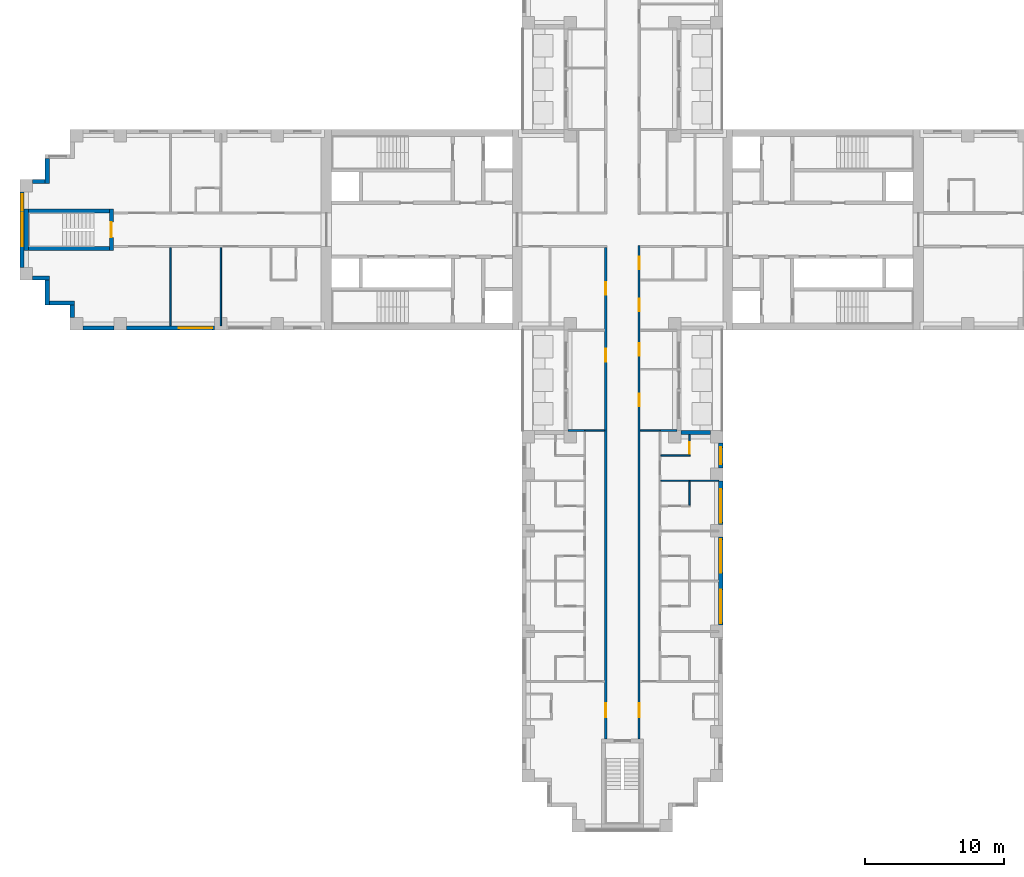
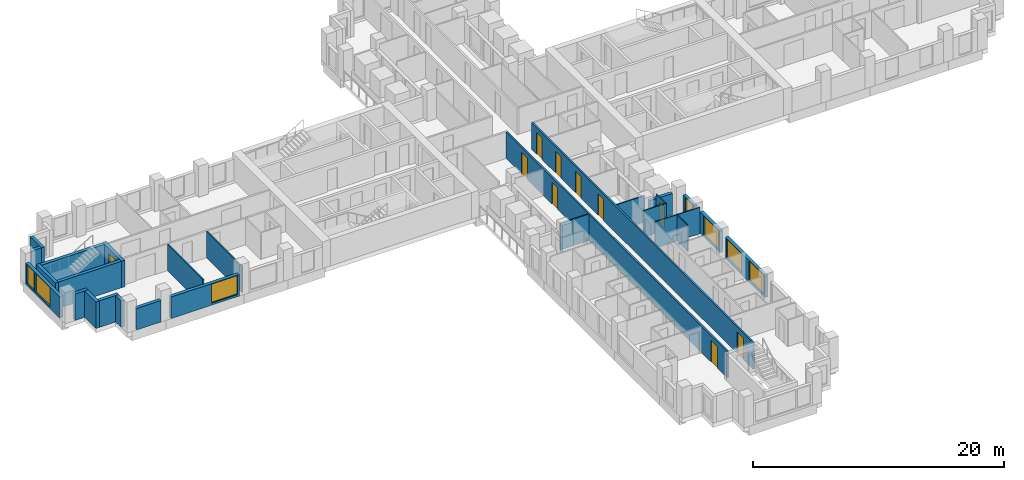
# One storey, part 5 of 14: 29 walls, 10 doors, 7 windows, 17 openings.
"""IFC4 building model written with IfcOpenShell, lengths in metres."""

from ifc_helpers import new_model, si_unit, direction, frame, frame_2d, origin, place, context, subcontext, project, spatial, rectangle, extrude, material, layer, layer_set, type_object, element, fill, save


model = new_model("IFC4")

# Units and contexts
model_context = context("Model", 3, precision=1e-05, world=origin(), true_north=direction((0.0, 1.0)))
body_context = subcontext(model_context, "Body", "Model", "MODEL_VIEW")
ifc_project = project(units=[si_unit("LENGTHUNIT", "METRE"), si_unit("AREAUNIT", "SQUARE_METRE"), si_unit("VOLUMEUNIT", "CUBIC_METRE"), si_unit("PLANEANGLEUNIT", "RADIAN"), si_unit("MASSUNIT", "GRAM", prefix="KILO")], contexts=[model_context])

# Site, building, storey
site_placement = place(None, origin())
site = spatial("IfcSite", under=ifc_project, at=site_placement, CompositionType="ELEMENT")
building_placement = place(site_placement, origin())
building = spatial("IfcBuilding", under=site, at=building_placement, Name="Fustian Cross Tower", CompositionType="ELEMENT")
storey_placement = place(building_placement, frame((0.0, 0.0, 93.89990234375)))
storey = spatial("IfcBuildingStorey", under=building, at=storey_placement, Name="L29", CompositionType="ELEMENT", Elevation=93.89990234375)

# Wall, openings, doors
ifc_material_1 = material(Name="Plasterboard on steel stud", Category="steel")
ifc_layer_1 = layer(ifc_material_1, 0.14990234375)
ifc_layer_set_1 = layer_set([ifc_layer_1], Name="Plasterboard on steel stud")
wall_type_1 = type_object("IfcWallType", Name="COMPARTMENT WALL 150 EI 60", PredefinedType="PARTITIONING", material=ifc_layer_set_1)
wall_1_placement = place(storey_placement, frame((-1.199951171875, -36.5, 0.0), z_axis=(0.0, 0.0, 1.0), x_axis=(0.0, 1.0, 0.0)))
wall_1 = element("IfcWall", 1, at=wall_1_placement, inside=storey, type_object=wall_type_1, Name="Partition 41", PredefinedType="PARTITIONING", context=body_context, shape_type="SweptSolid", body=[
    extrude(rectangle(XDim=35.22509765625, YDim=0.14990234375, at=frame_2d((17.612548828125, 0.0))), origin(), (0.0, 0.0, 1.0), 2.5751953125),
])
opening_1_placement = place(wall_1_placement, frame((31.85009765625, 0.0, 0.0)))
opening_1 = element("IfcOpeningElement", 2, at=opening_1_placement, cuts=wall_1, Name="Opening D14009", PredefinedType="OPENING", context=body_context, shape_type="SweptSolid", body=[
    extrude(rectangle(XDim=0.89990234375, YDim=2.10009765625, at=frame_2d((0.449951171875, 1.050048828125))), frame((0.0, 0.0849609375, 0.0), z_axis=(0.0, -1.0, 0.0), x_axis=(1.0, 0.0, 0.0)), (0.0, 0.0, 1.0), 0.169921875),
])
opening_2_placement = place(wall_1_placement, frame((27.050048828125, 0.0, 0.0)))
opening_2 = element("IfcOpeningElement", 3, at=opening_2_placement, cuts=wall_1, Name="Opening D14050", PredefinedType="OPENING", context=body_context, shape_type="SweptSolid", body=[
    extrude(rectangle(XDim=0.89990234375, YDim=2.10009765625, at=frame_2d((0.449951171875, 1.050048828125))), frame((0.0, 0.0849609375, 0.0), z_axis=(0.0, -1.0, 0.0), x_axis=(1.0, 0.0, 0.0)), (0.0, 0.0, 1.0), 0.169921875),
])
opening_3_placement = place(wall_1_placement, frame((1.550048828125, 0.0, 0.0)))
opening_3 = element("IfcOpeningElement", 4, at=opening_3_placement, cuts=wall_1, Name="Opening D14052", PredefinedType="OPENING", context=body_context, shape_type="SweptSolid", body=[
    extrude(rectangle(XDim=1.0, YDim=2.10009765625, at=frame_2d((0.5, 1.050048828125))), frame((0.0, 0.0849609375, 0.0), z_axis=(0.0, -1.0, 0.0), x_axis=(1.0, 0.0, 0.0)), (0.0, 0.0, 1.0), 0.169921875),
])
ifc_material_2 = material(Name="Timber fire door set", Category="wood")
door_type_1 = type_object("IfcDoorType", Name="FIRE SWING DOOR 1000 FD30S", OperationType="SINGLE_SWING_LEFT", PredefinedType="DOOR", material=ifc_material_2)
door_1_placement = place(opening_3_placement, origin())
door_1 = element("IfcDoor", 5, at=door_1_placement, inside=storey, type_object=door_type_1, Name="Door D14052", OperationType="SINGLE_SWING_RIGHT", OverallHeight=2.10009765625, OverallWidth=1.0, PredefinedType="DOOR", context=body_context, shape_type="SweptSolid", body=[
    extrude(rectangle(XDim=1.0, YDim=2.10009765625, at=frame_2d((0.5, 1.050048828125))), frame((0.0, 0.02490234375, 0.0), z_axis=(0.0, -1.0, 0.0), x_axis=(1.0, 0.0, 0.0)), (0.0, 0.0, 1.0), 0.050048828125),
])
fill(opening_3, door_1)
ifc_material_3 = material(Name="Timber fire door set", Category="wood")
door_type_2 = type_object("IfcDoorType", Name="FIRE SWING DOOR 900 FD30S", OperationType="SINGLE_SWING_LEFT", PredefinedType="DOOR", material=ifc_material_3)
door_2_placement = place(opening_1_placement, origin())
door_2 = element("IfcDoor", 6, at=door_2_placement, inside=storey, type_object=door_type_2, Name="Door D14009", OperationType="SINGLE_SWING_LEFT", OverallHeight=2.10009765625, OverallWidth=0.89990234375, PredefinedType="DOOR", context=body_context, shape_type="SweptSolid", body=[
    extrude(rectangle(XDim=0.89990234375, YDim=2.10009765625, at=frame_2d((0.449951171875, 1.050048828125))), frame((0.0, 0.02490234375, 0.0), z_axis=(0.0, -1.0, 0.0), x_axis=(1.0, 0.0, 0.0)), (0.0, 0.0, 1.0), 0.050048828125),
])
fill(opening_1, door_2)
door_3_placement = place(opening_2_placement, origin())
door_3 = element("IfcDoor", 7, at=door_3_placement, inside=storey, type_object=door_type_2, Name="Door D14050", OperationType="SINGLE_SWING_RIGHT", OverallHeight=2.10009765625, OverallWidth=0.89990234375, PredefinedType="DOOR", context=body_context, shape_type="SweptSolid", body=[
    extrude(rectangle(XDim=0.89990234375, YDim=2.10009765625, at=frame_2d((0.449951171875, 1.050048828125))), frame((0.0, 0.02490234375, 0.0), z_axis=(0.0, -1.0, 0.0), x_axis=(1.0, 0.0, 0.0)), (0.0, 0.0, 1.0), 0.050048828125),
])
fill(opening_2, door_3)

wall_2_placement = place(storey_placement, frame((1.199951171875, -36.5, 0.0), z_axis=(0.0, 0.0, 1.0), x_axis=(0.0, 1.0, 0.0)))
wall_2 = element("IfcWall", 8, at=wall_2_placement, inside=storey, type_object=wall_type_1, Name="Partition 43", PredefinedType="PARTITIONING", context=body_context, shape_type="SweptSolid", body=[
    extrude(rectangle(XDim=35.375, YDim=0.14990234375, at=frame_2d((17.6875, 0.0))), origin(), (0.0, 0.0, 1.0), 2.5751953125),
])
opening_4_placement = place(wall_2_placement, frame((33.64990234375, 0.0, 0.0)))
opening_4 = element("IfcOpeningElement", 9, at=opening_4_placement, cuts=wall_2, Name="Opening D14006", PredefinedType="OPENING", context=body_context, shape_type="SweptSolid", body=[
    extrude(rectangle(XDim=0.89990234375, YDim=2.10009765625, at=frame_2d((0.449951171875, 1.050048828125))), frame((0.0, 0.0849609375, 0.0), z_axis=(0.0, -1.0, 0.0), x_axis=(1.0, 0.0, 0.0)), (0.0, 0.0, 1.0), 0.169921875),
])
opening_5_placement = place(wall_2_placement, frame((30.64990234375, 0.0, 0.0)))
opening_5 = element("IfcOpeningElement", 10, at=opening_5_placement, cuts=wall_2, Name="Opening D14008", PredefinedType="OPENING", context=body_context, shape_type="SweptSolid", body=[
    extrude(rectangle(XDim=0.89990234375, YDim=2.10009765625, at=frame_2d((0.449951171875, 1.050048828125))), frame((0.0, 0.0849609375, 0.0), z_axis=(0.0, -1.0, 0.0), x_axis=(1.0, 0.0, 0.0)), (0.0, 0.0, 1.0), 0.169921875),
])
opening_6_placement = place(wall_2_placement, frame((27.449951171875, 0.0, 0.0)))
opening_6 = element("IfcOpeningElement", 11, at=opening_6_placement, cuts=wall_2, Name="Opening D14035", PredefinedType="OPENING", context=body_context, shape_type="SweptSolid", body=[
    extrude(rectangle(XDim=0.89990234375, YDim=2.10009765625, at=frame_2d((0.449951171875, 1.050048828125))), frame((0.0, 0.0849609375, 0.0), z_axis=(0.0, -1.0, 0.0), x_axis=(1.0, 0.0, 0.0)), (0.0, 0.0, 1.0), 0.169921875),
])
opening_7_placement = place(wall_2_placement, frame((23.85009765625, 0.0, 0.0)))
opening_7 = element("IfcOpeningElement", 12, at=opening_7_placement, cuts=wall_2, Name="Opening D14036", PredefinedType="OPENING", context=body_context, shape_type="SweptSolid", body=[
    extrude(rectangle(XDim=0.89990234375, YDim=2.10009765625, at=frame_2d((0.449951171875, 1.050048828125))), frame((0.0, 0.0849609375, 0.0), z_axis=(0.0, -1.0, 0.0), x_axis=(1.0, 0.0, 0.0)), (0.0, 0.0, 1.0), 0.169921875),
])
opening_8_placement = place(wall_2_placement, frame((1.550048828125, 0.0, 0.0)))
opening_8 = element("IfcOpeningElement", 13, at=opening_8_placement, cuts=wall_2, Name="Opening D14038", PredefinedType="OPENING", context=body_context, shape_type="SweptSolid", body=[
    extrude(rectangle(XDim=1.0, YDim=2.10009765625, at=frame_2d((0.5, 1.050048828125))), frame((0.0, 0.0849609375, 0.0), z_axis=(0.0, -1.0, 0.0), x_axis=(1.0, 0.0, 0.0)), (0.0, 0.0, 1.0), 0.169921875),
])
door_4_placement = place(opening_8_placement, frame((1.0, 0.0, 0.0), z_axis=(0.0, 0.0, 1.0), x_axis=(-1.0, 0.0, 0.0)))
door_4 = element("IfcDoor", 14, at=door_4_placement, inside=storey, type_object=door_type_1, Name="Door D14038", OperationType="SINGLE_SWING_LEFT", OverallHeight=2.10009765625, OverallWidth=1.0, PredefinedType="DOOR", context=body_context, shape_type="SweptSolid", body=[
    extrude(rectangle(XDim=1.0, YDim=2.10009765625, at=frame_2d((0.5, 1.050048828125))), frame((0.0, 0.02490234375, 0.0), z_axis=(0.0, -1.0, 0.0), x_axis=(1.0, 0.0, 0.0)), (0.0, 0.0, 1.0), 0.050048828125),
])
fill(opening_8, door_4)
door_5_placement = place(opening_4_placement, frame((0.89990234375, 0.0, 0.0), z_axis=(0.0, 0.0, 1.0), x_axis=(-1.0, 0.0, 0.0)))
door_5 = element("IfcDoor", 15, at=door_5_placement, inside=storey, type_object=door_type_2, Name="Door D14006", OperationType="SINGLE_SWING_RIGHT", OverallHeight=2.10009765625, OverallWidth=0.89990234375, PredefinedType="DOOR", context=body_context, shape_type="SweptSolid", body=[
    extrude(rectangle(XDim=0.89990234375, YDim=2.10009765625, at=frame_2d((0.449951171875, 1.050048828125))), frame((0.0, 0.02490234375, 0.0), z_axis=(0.0, -1.0, 0.0), x_axis=(1.0, 0.0, 0.0)), (0.0, 0.0, 1.0), 0.050048828125),
])
fill(opening_4, door_5)
door_6_placement = place(opening_5_placement, frame((0.89990234375, 0.0, 0.0), z_axis=(0.0, 0.0, 1.0), x_axis=(-1.0, 0.0, 0.0)))
door_6 = element("IfcDoor", 16, at=door_6_placement, inside=storey, type_object=door_type_2, Name="Door D14008", OperationType="SINGLE_SWING_RIGHT", OverallHeight=2.10009765625, OverallWidth=0.89990234375, PredefinedType="DOOR", context=body_context, shape_type="SweptSolid", body=[
    extrude(rectangle(XDim=0.89990234375, YDim=2.10009765625, at=frame_2d((0.449951171875, 1.050048828125))), frame((0.0, 0.02490234375, 0.0), z_axis=(0.0, -1.0, 0.0), x_axis=(1.0, 0.0, 0.0)), (0.0, 0.0, 1.0), 0.050048828125),
])
fill(opening_5, door_6)
door_7_placement = place(opening_6_placement, frame((0.89990234375, 0.0, 0.0), z_axis=(0.0, 0.0, 1.0), x_axis=(-1.0, 0.0, 0.0)))
door_7 = element("IfcDoor", 17, at=door_7_placement, inside=storey, type_object=door_type_2, Name="Door D14035", OperationType="SINGLE_SWING_RIGHT", OverallHeight=2.10009765625, OverallWidth=0.89990234375, PredefinedType="DOOR", context=body_context, shape_type="SweptSolid", body=[
    extrude(rectangle(XDim=0.89990234375, YDim=2.10009765625, at=frame_2d((0.449951171875, 1.050048828125))), frame((0.0, 0.02490234375, 0.0), z_axis=(0.0, -1.0, 0.0), x_axis=(1.0, 0.0, 0.0)), (0.0, 0.0, 1.0), 0.050048828125),
])
fill(opening_6, door_7)
door_8_placement = place(opening_7_placement, frame((0.89990234375, 0.0, 0.0), z_axis=(0.0, 0.0, 1.0), x_axis=(-1.0, 0.0, 0.0)))
door_8 = element("IfcDoor", 18, at=door_8_placement, inside=storey, type_object=door_type_2, Name="Door D14036", OperationType="SINGLE_SWING_RIGHT", OverallHeight=2.10009765625, OverallWidth=0.89990234375, PredefinedType="DOOR", context=body_context, shape_type="SweptSolid", body=[
    extrude(rectangle(XDim=0.89990234375, YDim=2.10009765625, at=frame_2d((0.449951171875, 1.050048828125))), frame((0.0, 0.02490234375, 0.0), z_axis=(0.0, -1.0, 0.0), x_axis=(1.0, 0.0, 0.0)), (0.0, 0.0, 1.0), 0.050048828125),
])
fill(opening_7, door_8)

# Walls
ifc_material_4 = material(Name="Plasterboard on steel stud", Category="steel")
ifc_layer_2 = layer(ifc_material_4, 0.10009765625)
ifc_layer_set_2 = layer_set([ifc_layer_2], Name="Plasterboard on steel stud")
wall_type_2 = type_object("IfcWallType", Name="PARTITION 100 STUD", PredefinedType="PARTITIONING", material=ifc_layer_set_2)
for number, where, z_axis, x_axis, name in (
    (19, (-32.39990234375, -6.89990234375, 0.0), (0.0, 0.0, 1.0), (0.0, 1.0, 0.0), "Partition 3"),
    (20, (-28.800048828125, -6.89990234375, 0.0), (0.0, 0.0, 1.0), (0.0, 1.0, 0.0), "Partition 7"),
):
    element("IfcWall", number, at=place(storey_placement, frame(where, z_axis=z_axis, x_axis=x_axis)), inside=storey, type_object=wall_type_2, Name=name, PredefinedType="PARTITIONING", context=body_context, shape_type="SweptSolid", body=[
        extrude(rectangle(XDim=5.625, YDim=0.10009765625, at=frame_2d((2.8125, 0.0))), origin(), (0.0, 0.0, 1.0), 2.5751953125),
    ])
for number, where, z_axis, x_axis, name in (
    (21, (-2.699951171875, -14.39990234375, 0.0), (0.0, 0.0, 1.0), (1.0, 0.0, 0.0), "Partition 40"),
    (22, (1.27490234375, -14.39990234375, 0.0), (0.0, 0.0, 1.0), (1.0, 0.0, 0.0), "Partition 45"),
):
    element("IfcWall", number, at=place(storey_placement, frame(where, z_axis=z_axis, x_axis=x_axis)), inside=storey, type_object=wall_type_2, Name=name, PredefinedType="PARTITIONING", context=body_context, shape_type="SweptSolid", body=[
        extrude(rectangle(XDim=1.425048828125, YDim=0.10009765625, at=frame_2d((0.71240234375, 0.0))), origin(), (0.0, 0.0, 1.0), 2.5751953125),
    ])
wall_3_placement = place(storey_placement, frame((2.75, -18.0, 0.0), z_axis=(0.0, 0.0, 1.0), x_axis=(1.0, 0.0, 0.0)))
element("IfcWall", 23, at=wall_3_placement, inside=storey, type_object=wall_type_2, Name="Partition 64", PredefinedType="PARTITIONING", context=body_context, shape_type="SweptSolid", body=[
    extrude(rectangle(XDim=4.14990234375, YDim=0.10009765625, at=frame_2d((2.074951171875, 0.0))), origin(), (0.0, 0.0, 1.0), 2.5751953125),
])
wall_4_placement = place(storey_placement, frame((2.75, -16.199951171875, 0.0), z_axis=(0.0, 0.0, 1.0), x_axis=(1.0, 0.0, 0.0)))
element("IfcWall", 24, at=wall_4_placement, inside=storey, type_object=wall_type_2, Name="Partition 65", PredefinedType="PARTITIONING", context=body_context, shape_type="SweptSolid", body=[
    extrude(rectangle(XDim=2.10009765625, YDim=0.10009765625, at=frame_2d((1.050048828125, 0.0))), origin(), (0.0, 0.0, 1.0), 2.5751953125),
])
wall_5_placement = place(storey_placement, frame((4.800048828125, -19.75, 0.0), z_axis=(0.0, 0.0, 1.0), x_axis=(0.0, 1.0, 0.0)))
element("IfcWall", 25, at=wall_5_placement, inside=storey, type_object=wall_type_2, Name="Partition 71", PredefinedType="PARTITIONING", context=body_context, shape_type="SweptSolid", body=[
    extrude(rectangle(XDim=1.699951171875, YDim=0.10009765625, at=frame_2d((0.85009765625, 0.0))), origin(), (0.0, 0.0, 1.0), 2.5751953125),
])

# Wall, opening, door
wall_6_placement = place(storey_placement, frame((4.800048828125, -16.14990234375, 0.0), z_axis=(0.0, 0.0, 1.0), x_axis=(0.0, 1.0, 0.0)))
wall_6 = element("IfcWall", 26, at=wall_6_placement, inside=storey, type_object=wall_type_2, Name="Partition 72", PredefinedType="PARTITIONING", context=body_context, shape_type="SweptSolid", body=[
    extrude(rectangle(XDim=1.449951171875, YDim=0.10009765625, at=frame_2d((0.72509765625, 0.0))), origin(), (0.0, 0.0, 1.0), 2.5751953125),
])
opening_9_placement = place(wall_6_placement, frame((0.10009765625, 0.0, 0.0)))
opening_9 = element("IfcOpeningElement", 27, at=opening_9_placement, cuts=wall_6, Name="Opening D14045", PredefinedType="OPENING", context=body_context, shape_type="SweptSolid", body=[
    extrude(rectangle(XDim=0.800048828125, YDim=2.10009765625, at=frame_2d((0.39990234375, 1.050048828125))), frame((0.0, 0.06005859375, 0.0), z_axis=(0.0, -1.0, 0.0), x_axis=(1.0, 0.0, 0.0)), (0.0, 0.0, 1.0), 0.1201171875),
])
ifc_material_5 = material(Name="Painted timber", Category="wood")
door_type_3 = type_object("IfcDoorType", Name="SWING DOOR 800", OperationType="SINGLE_SWING_LEFT", PredefinedType="DOOR", material=ifc_material_5)
door_9_placement = place(opening_9_placement, frame((0.800048828125, 0.0, 0.0), z_axis=(0.0, 0.0, 1.0), x_axis=(-1.0, 0.0, 0.0)))
door_9 = element("IfcDoor", 28, at=door_9_placement, inside=storey, type_object=door_type_3, Name="Door D14045", OperationType="SINGLE_SWING_LEFT", OverallHeight=2.10009765625, OverallWidth=0.800048828125, PredefinedType="DOOR", context=body_context, shape_type="SweptSolid", body=[
    extrude(rectangle(XDim=0.800048828125, YDim=2.10009765625, at=frame_2d((0.39990234375, 1.050048828125))), frame((0.0, 0.02490234375, 0.0), z_axis=(0.0, -1.0, 0.0), x_axis=(1.0, 0.0, 0.0)), (0.0, 0.0, 1.0), 0.050048828125),
])
fill(opening_9, door_9)

ifc_material_6 = material(Name="Concrete C50/60", Category="concrete")
ifc_layer_3 = layer(ifc_material_6, 0.300048828125)
ifc_layer_set_3 = layer_set([ifc_layer_3], Name="Concrete C50/60")
wall_type_3 = type_object("IfcWallType", Name="STAIR ENCLOSURE WALL 300 C50/60", PredefinedType="SHEAR", material=ifc_layer_set_3)
wall_7_placement = place(storey_placement, frame((-36.64990234375, -1.5, 0.0), z_axis=(0.0, 0.0, 1.0), x_axis=(0.0, 1.0, 0.0)))
wall_7 = element("IfcWall", 29, at=wall_7_placement, inside=storey, type_object=wall_type_3, Name="Stair enclosure wall", PredefinedType="SHEAR", context=body_context, shape_type="SweptSolid", body=[
    extrude(rectangle(XDim=3.0, YDim=0.300048828125, at=frame_2d((1.5, 0.0))), origin(), (0.0, 0.0, 1.0), 2.5751953125),
])
opening_10_placement = place(wall_7_placement, frame((0.949951171875, 0.0, 0.0)))
opening_10 = element("IfcOpeningElement", 30, at=opening_10_placement, cuts=wall_7, Name="Opening CD-09-31", PredefinedType="OPENING", context=body_context, shape_type="SweptSolid", body=[
    extrude(rectangle(XDim=1.10009765625, YDim=2.10009765625, at=frame_2d((0.550048828125, 1.050048828125))), frame((0.0, 0.159912109375, 0.0), z_axis=(0.0, -1.0, 0.0), x_axis=(1.0, 0.0, 0.0)), (0.0, 0.0, 1.0), 0.320068359375),
])
ifc_material_7 = material(Name="Steel", Category="steel")
door_type_4 = type_object("IfcDoorType", Name="FIRE DOOR FD60S 1100X2100", OperationType="SINGLE_SWING_LEFT", PredefinedType="DOOR", material=ifc_material_7)
door_10_placement = place(opening_10_placement, origin())
door_10 = element("IfcDoor", 31, at=door_10_placement, inside=storey, type_object=door_type_4, Name="Core door CD-09-31", OperationType="SINGLE_SWING_LEFT", OverallHeight=2.10009765625, OverallWidth=1.10009765625, PredefinedType="DOOR", context=body_context, shape_type="SweptSolid", body=[
    extrude(rectangle(XDim=1.10009765625, YDim=2.10009765625, at=frame_2d((0.550048828125, 1.050048828125))), frame((0.0, 0.02490234375, 0.0), z_axis=(0.0, -1.0, 0.0), x_axis=(1.0, 0.0, 0.0)), (0.0, 0.0, 1.0), 0.050048828125),
])
fill(opening_10, door_10)

# Walls
wall_8_placement = place(storey_placement, frame((-42.75, -1.5, 0.0), z_axis=(0.0, 0.0, 1.0), x_axis=(0.0, 1.0, 0.0)))
element("IfcWall", 32, at=wall_8_placement, inside=storey, type_object=wall_type_3, Name="Stair enclosure wall", PredefinedType="SHEAR", context=body_context, shape_type="SweptSolid", body=[
    extrude(rectangle(XDim=3.0, YDim=0.300048828125, at=frame_2d((1.5, 0.0))), origin(), (0.0, 0.0, 1.0), 2.5751953125),
])
for number, where, z_axis, x_axis, name in (
    (33, (-36.800048828125, -1.35009765625, 0.0), (0.0, 0.0, 1.0), (-1.0, 0.0, 0.0), "Stair enclosure wall"),
    (34, (-36.800048828125, 1.35009765625, 0.0), (0.0, 0.0, 1.0), (-1.0, 0.0, 0.0), "Stair enclosure wall"),
):
    element("IfcWall", number, at=place(storey_placement, frame(where, z_axis=z_axis, x_axis=x_axis)), inside=storey, type_object=wall_type_3, Name=name, PredefinedType="SHEAR", context=body_context, shape_type="SweptSolid", body=[
        extrude(rectangle(XDim=5.800048828125, YDim=0.300048828125, at=frame_2d((2.89990234375, 0.0))), origin(), (0.0, 0.0, 1.0), 2.5751953125),
    ])
ifc_material_8 = material(Name="Plasterboard on steel stud", Category="steel")
ifc_layer_4 = layer(ifc_material_8, 0.125)
ifc_layer_set_4 = layer_set([ifc_layer_4], Name="Plasterboard on steel stud")
wall_type_4 = type_object("IfcWallType", Name="WET WALL 125 STUD", PredefinedType="PARTITIONING", material=ifc_layer_set_4)
for number, where, z_axis, x_axis, name in (
    (35, (-3.89990234375, -14.39990234375, 0.0), (0.0, 0.0, 1.0), (1.0, 0.0, 0.0), "Partition 33"),
    (36, (2.699951171875, -14.39990234375, 0.0), (0.0, 0.0, 1.0), (1.0, 0.0, 0.0), "Partition 66"),
):
    element("IfcWall", number, at=place(storey_placement, frame(where, z_axis=z_axis, x_axis=x_axis)), inside=storey, type_object=wall_type_4, Name=name, PredefinedType="PARTITIONING", context=body_context, shape_type="SweptSolid", body=[
        extrude(rectangle(XDim=1.199951171875, YDim=0.125, at=frame_2d((0.60009765625, 0.0))), origin(), (0.0, 0.0, 1.0), 2.5751953125),
    ])
ifc_material_9 = material(Name="Dark aluminium cladding on insulated backing wall", Category="aluminium")
ifc_layer_5 = layer(ifc_material_9, 0.300048828125)
ifc_layer_set_5 = layer_set([ifc_layer_5], Name="Dark aluminium cladding on insulated backing wall")
wall_type_5 = type_object("IfcWallType", Name="XW1 EXTERNAL WALL 300", PredefinedType="SOLIDWALL", material=ifc_layer_set_5)
wall_9_placement = place(storey_placement, frame((-41.25, 5.10009765625, 0.0), z_axis=(0.0, 0.0, 1.0), x_axis=(0.0, -1.0, 0.0)))
element("IfcWall", 37, at=wall_9_placement, inside=storey, type_object=wall_type_5, Name="External wall", PredefinedType="SOLIDWALL", context=body_context, shape_type="SweptSolid", body=[
    extrude(rectangle(XDim=1.800048828125, YDim=0.300048828125, at=frame_2d((0.89990234375, 0.0))), origin(), (0.0, 0.0, 1.0), 2.5751953125),
])
wall_10_placement = place(storey_placement, frame((-41.39990234375, 3.449951171875, 0.0), z_axis=(0.0, 0.0, 1.0), x_axis=(-1.0, 0.0, 0.0)))
element("IfcWall", 38, at=wall_10_placement, inside=storey, type_object=wall_type_5, Name="External wall", PredefinedType="SOLIDWALL", context=body_context, shape_type="SweptSolid", body=[
    extrude(rectangle(XDim=0.900146484375, YDim=0.300048828125, at=frame_2d((0.4501953125, 0.0))), origin(), (0.0, 0.0, 1.0), 2.5751953125),
])

# Wall, openings, windows
wall_11_placement = place(storey_placement, frame((-43.050048828125, 2.699951171875, 0.0), z_axis=(0.0, 0.0, 1.0), x_axis=(0.0, -1.0, 0.0)))
wall_11 = element("IfcWall", 39, at=wall_11_placement, inside=storey, type_object=wall_type_5, Name="External wall", PredefinedType="SOLIDWALL", context=body_context, shape_type="SweptSolid", body=[
    extrude(rectangle(XDim=5.39990234375, YDim=0.300048828125, at=frame_2d((2.699951171875, 0.0))), origin(), (0.0, 0.0, 1.0), 2.10009765625),
])
opening_11_placement = place(wall_11_placement, frame((1.5, 0.0, 0.199951171875)))
opening_11 = element("IfcOpeningElement", 40, at=opening_11_placement, cuts=wall_11, Name="Opening WN1", PredefinedType="OPENING", context=body_context, shape_type="SweptSolid", body=[
    extrude(rectangle(XDim=2.39990234375, YDim=1.85009765625, at=frame_2d((1.199951171875, 0.925048828125))), frame((0.0, 0.159912109375, 0.0), z_axis=(0.0, -1.0, 0.0), x_axis=(1.0, 0.0, 0.0)), (0.0, 0.0, 1.0), 0.320068359375),
])
opening_12_placement = place(wall_11_placement, frame((0.14990234375, 0.0, 0.199951171875)))
opening_12 = element("IfcOpeningElement", 41, at=opening_12_placement, cuts=wall_11, Name="Opening WN3", PredefinedType="OPENING", context=body_context, shape_type="SweptSolid", body=[
    extrude(rectangle(XDim=1.199951171875, YDim=1.85009765625, at=frame_2d((0.60009765625, 0.925048828125))), frame((0.0, 0.159912109375, 0.0), z_axis=(0.0, -1.0, 0.0), x_axis=(1.0, 0.0, 0.0)), (0.0, 0.0, 1.0), 0.320068359375),
])
ifc_material_10 = material(Name="Dark anodised aluminium and double glazing", Category="aluminium")
window_type_1 = type_object("IfcWindowType", Name="WN1 WINDOW 2400X1850", PartitioningType="SINGLE_PANEL", PredefinedType="WINDOW", material=ifc_material_10)
window_1_placement = place(opening_11_placement, origin())
window_1 = element("IfcWindow", 42, at=window_1_placement, inside=storey, type_object=window_type_1, Name="Window", OverallHeight=1.85009765625, OverallWidth=2.39990234375, PartitioningType="SINGLE_PANEL", PredefinedType="WINDOW", context=body_context, shape_type="SweptSolid", body=[
    extrude(rectangle(XDim=2.39990234375, YDim=1.85009765625, at=frame_2d((1.199951171875, 0.925048828125))), frame((0.0, 0.030029296875, 0.0), z_axis=(0.0, -1.0, 0.0), x_axis=(1.0, 0.0, 0.0)), (0.0, 0.0, 1.0), 0.06005859375),
])
fill(opening_11, window_1)
ifc_material_11 = material(Name="Dark anodised aluminium and double glazing", Category="aluminium")
window_type_2 = type_object("IfcWindowType", Name="WN3 WINDOW 1200X1850", PartitioningType="SINGLE_PANEL", PredefinedType="WINDOW", material=ifc_material_11)
window_2_placement = place(opening_12_placement, origin())
window_2 = element("IfcWindow", 43, at=window_2_placement, inside=storey, type_object=window_type_2, Name="Window", OverallHeight=1.85009765625, OverallWidth=1.199951171875, PartitioningType="SINGLE_PANEL", PredefinedType="WINDOW", context=body_context, shape_type="SweptSolid", body=[
    extrude(rectangle(XDim=1.199951171875, YDim=1.85009765625, at=frame_2d((0.60009765625, 0.925048828125))), frame((0.0, 0.030029296875, 0.0), z_axis=(0.0, -1.0, 0.0), x_axis=(1.0, 0.0, 0.0)), (0.0, 0.0, 1.0), 0.06005859375),
])
fill(opening_12, window_2)

# Walls
wall_12_placement = place(storey_placement, frame((-42.300048828125, -3.449951171875, 0.0), z_axis=(0.0, 0.0, 1.0), x_axis=(1.0, 0.0, 0.0)))
element("IfcWall", 44, at=wall_12_placement, inside=storey, type_object=wall_type_5, Name="External wall", PredefinedType="SOLIDWALL", context=body_context, shape_type="SweptSolid", body=[
    extrude(rectangle(XDim=1.199951171875, YDim=0.300048828125, at=frame_2d((0.60009765625, 0.0))), origin(), (0.0, 0.0, 1.0), 2.5751953125),
])
wall_13_placement = place(storey_placement, frame((-41.25, -3.60009765625, 0.0), z_axis=(0.0, 0.0, 1.0), x_axis=(0.0, -1.0, 0.0)))
element("IfcWall", 45, at=wall_13_placement, inside=storey, type_object=wall_type_5, Name="External wall", PredefinedType="SOLIDWALL", context=body_context, shape_type="SweptSolid", body=[
    extrude(rectangle(XDim=1.7998046875, YDim=0.300048828125, at=frame_2d((0.89990234375, 0.0))), origin(), (0.0, 0.0, 1.0), 2.5751953125),
])
wall_14_placement = place(storey_placement, frame((-41.10009765625, -5.25, 0.0), z_axis=(0.0, 0.0, 1.0), x_axis=(1.0, 0.0, 0.0)))
element("IfcWall", 46, at=wall_14_placement, inside=storey, type_object=wall_type_5, Name="External wall", PredefinedType="SOLIDWALL", context=body_context, shape_type="SweptSolid", body=[
    extrude(rectangle(XDim=1.800048828125, YDim=0.300048828125, at=frame_2d((0.89990234375, 0.0))), origin(), (0.0, 0.0, 1.0), 2.5751953125),
])
wall_15_placement = place(storey_placement, frame((-39.449951171875, -5.39990234375, 0.0), z_axis=(0.0, 0.0, 1.0), x_axis=(0.0, -1.0, 0.0)))
element("IfcWall", 47, at=wall_15_placement, inside=storey, type_object=wall_type_5, Name="External wall", PredefinedType="SOLIDWALL", context=body_context, shape_type="SweptSolid", body=[
    extrude(rectangle(XDim=0.900146484375, YDim=0.300048828125, at=frame_2d((0.4501953125, 0.0))), origin(), (0.0, 0.0, 1.0), 2.5751953125),
])
wall_16_placement = place(storey_placement, frame((-38.699951171875, -7.050048828125, 0.0), z_axis=(0.0, 0.0, 1.0), x_axis=(1.0, 0.0, 0.0)))
element("IfcWall", 48, at=wall_16_placement, inside=storey, type_object=wall_type_5, Name="External wall", PredefinedType="SOLIDWALL", context=body_context, shape_type="SweptSolid", body=[
    extrude(rectangle(XDim=2.25, YDim=0.300048828125, at=frame_2d((1.125, 0.0))), origin(), (0.0, 0.0, 1.0), 2.10009765625),
])

# Wall, opening, window
wall_17_placement = place(storey_placement, frame((-35.550048828125, -7.050048828125, 0.0), z_axis=(0.0, 0.0, 1.0), x_axis=(1.0, 0.0, 0.0)))
wall_17 = element("IfcWall", 49, at=wall_17_placement, inside=storey, type_object=wall_type_5, Name="External wall", PredefinedType="SOLIDWALL", context=body_context, shape_type="SweptSolid", body=[
    extrude(rectangle(XDim=6.300048828125, YDim=0.300048828125, at=frame_2d((3.14990234375, 0.0))), origin(), (0.0, 0.0, 1.0), 2.10009765625),
])
opening_13_placement = place(wall_17_placement, frame((3.75, 0.0, 0.199951171875)))
opening_13 = element("IfcOpeningElement", 50, at=opening_13_placement, cuts=wall_17, Name="Opening WN1", PredefinedType="OPENING", context=body_context, shape_type="SweptSolid", body=[
    extrude(rectangle(XDim=2.39990234375, YDim=1.85009765625, at=frame_2d((1.199951171875, 0.925048828125))), frame((0.0, 0.159912109375, 0.0), z_axis=(0.0, -1.0, 0.0), x_axis=(1.0, 0.0, 0.0)), (0.0, 0.0, 1.0), 0.320068359375),
])
window_3_placement = place(opening_13_placement, origin())
window_3 = element("IfcWindow", 51, at=window_3_placement, inside=storey, type_object=window_type_1, Name="Window", OverallHeight=1.85009765625, OverallWidth=2.39990234375, PartitioningType="SINGLE_PANEL", PredefinedType="WINDOW", context=body_context, shape_type="SweptSolid", body=[
    extrude(rectangle(XDim=2.39990234375, YDim=1.85009765625, at=frame_2d((1.199951171875, 0.925048828125))), frame((0.0, 0.030029296875, 0.0), z_axis=(0.0, -1.0, 0.0), x_axis=(1.0, 0.0, 0.0)), (0.0, 0.0, 1.0), 0.06005859375),
])
fill(opening_13, window_3)

# Wall, openings, windows
wall_18_placement = place(storey_placement, frame((7.050048828125, -28.35009765625, 0.0), z_axis=(0.0, 0.0, 1.0), x_axis=(0.0, 1.0, 0.0)))
wall_18 = element("IfcWall", 52, at=wall_18_placement, inside=storey, type_object=wall_type_5, Name="External wall", PredefinedType="SOLIDWALL", context=body_context, shape_type="SweptSolid", body=[
    extrude(rectangle(XDim=6.300048828125, YDim=0.300048828125, at=frame_2d((3.14990234375, 0.0))), origin(), (0.0, 0.0, 1.0), 2.10009765625),
])
opening_14_placement = place(wall_18_placement, frame((0.14990234375, 0.0, 0.199951171875)))
opening_14 = element("IfcOpeningElement", 53, at=opening_14_placement, cuts=wall_18, Name="Opening WN1", PredefinedType="OPENING", context=body_context, shape_type="SweptSolid", body=[
    extrude(rectangle(XDim=2.39990234375, YDim=1.85009765625, at=frame_2d((1.199951171875, 0.925048828125))), frame((0.0, 0.159912109375, 0.0), z_axis=(0.0, -1.0, 0.0), x_axis=(1.0, 0.0, 0.0)), (0.0, 0.0, 1.0), 0.320068359375),
])
opening_15_placement = place(wall_18_placement, frame((3.75, 0.0, 0.199951171875)))
opening_15 = element("IfcOpeningElement", 54, at=opening_15_placement, cuts=wall_18, Name="Opening WN1", PredefinedType="OPENING", context=body_context, shape_type="SweptSolid", body=[
    extrude(rectangle(XDim=2.39990234375, YDim=1.85009765625, at=frame_2d((1.199951171875, 0.925048828125))), frame((0.0, 0.159912109375, 0.0), z_axis=(0.0, -1.0, 0.0), x_axis=(1.0, 0.0, 0.0)), (0.0, 0.0, 1.0), 0.320068359375),
])
window_4_placement = place(opening_14_placement, origin())
window_4 = element("IfcWindow", 55, at=window_4_placement, inside=storey, type_object=window_type_1, Name="Window", OverallHeight=1.85009765625, OverallWidth=2.39990234375, PartitioningType="SINGLE_PANEL", PredefinedType="WINDOW", context=body_context, shape_type="SweptSolid", body=[
    extrude(rectangle(XDim=2.39990234375, YDim=1.85009765625, at=frame_2d((1.199951171875, 0.925048828125))), frame((0.0, 0.030029296875, 0.0), z_axis=(0.0, -1.0, 0.0), x_axis=(1.0, 0.0, 0.0)), (0.0, 0.0, 1.0), 0.06005859375),
])
fill(opening_14, window_4)
window_5_placement = place(opening_15_placement, origin())
window_5 = element("IfcWindow", 56, at=window_5_placement, inside=storey, type_object=window_type_1, Name="Window", OverallHeight=1.85009765625, OverallWidth=2.39990234375, PartitioningType="SINGLE_PANEL", PredefinedType="WINDOW", context=body_context, shape_type="SweptSolid", body=[
    extrude(rectangle(XDim=2.39990234375, YDim=1.85009765625, at=frame_2d((1.199951171875, 0.925048828125))), frame((0.0, 0.030029296875, 0.0), z_axis=(0.0, -1.0, 0.0), x_axis=(1.0, 0.0, 0.0)), (0.0, 0.0, 1.0), 0.06005859375),
])
fill(opening_15, window_5)

# Wall, opening, window
wall_19_placement = place(storey_placement, frame((7.050048828125, -21.14990234375, 0.0), z_axis=(0.0, 0.0, 1.0), x_axis=(0.0, 1.0, 0.0)))
wall_19 = element("IfcWall", 57, at=wall_19_placement, inside=storey, type_object=wall_type_5, Name="External wall", PredefinedType="SOLIDWALL", context=body_context, shape_type="SweptSolid", body=[
    extrude(rectangle(XDim=3.14990234375, YDim=0.300048828125, at=frame_2d((1.574951171875, 0.0))), origin(), (0.0, 0.0, 1.0), 2.10009765625),
])
opening_16_placement = place(wall_19_placement, frame((0.14990234375, 0.0, 0.199951171875)))
opening_16 = element("IfcOpeningElement", 58, at=opening_16_placement, cuts=wall_19, Name="Opening WN1", PredefinedType="OPENING", context=body_context, shape_type="SweptSolid", body=[
    extrude(rectangle(XDim=2.39990234375, YDim=1.85009765625, at=frame_2d((1.199951171875, 0.925048828125))), frame((0.0, 0.159912109375, 0.0), z_axis=(0.0, -1.0, 0.0), x_axis=(1.0, 0.0, 0.0)), (0.0, 0.0, 1.0), 0.320068359375),
])
window_6_placement = place(opening_16_placement, origin())
window_6 = element("IfcWindow", 59, at=window_6_placement, inside=storey, type_object=window_type_1, Name="Window", OverallHeight=1.85009765625, OverallWidth=2.39990234375, PartitioningType="SINGLE_PANEL", PredefinedType="WINDOW", context=body_context, shape_type="SweptSolid", body=[
    extrude(rectangle(XDim=2.39990234375, YDim=1.85009765625, at=frame_2d((1.199951171875, 0.925048828125))), frame((0.0, 0.030029296875, 0.0), z_axis=(0.0, -1.0, 0.0), x_axis=(1.0, 0.0, 0.0)), (0.0, 0.0, 1.0), 0.06005859375),
])
fill(opening_16, window_6)

wall_20_placement = place(storey_placement, frame((7.050048828125, -17.10009765625, 0.0), z_axis=(0.0, 0.0, 1.0), x_axis=(0.0, 1.0, 0.0)))
wall_20 = element("IfcWall", 60, at=wall_20_placement, inside=storey, type_object=wall_type_5, Name="External wall", PredefinedType="SOLIDWALL", context=body_context, shape_type="SweptSolid", body=[
    extrude(rectangle(XDim=1.800048828125, YDim=0.300048828125, at=frame_2d((0.89990234375, 0.0))), origin(), (0.0, 0.0, 1.0), 2.10009765625),
])
opening_17_placement = place(wall_20_placement, frame((0.300048828125, 0.0, 0.199951171875)))
opening_17 = element("IfcOpeningElement", 61, at=opening_17_placement, cuts=wall_20, Name="Opening WN3", PredefinedType="OPENING", context=body_context, shape_type="SweptSolid", body=[
    extrude(rectangle(XDim=1.199951171875, YDim=1.85009765625, at=frame_2d((0.60009765625, 0.925048828125))), frame((0.0, 0.159912109375, 0.0), z_axis=(0.0, -1.0, 0.0), x_axis=(1.0, 0.0, 0.0)), (0.0, 0.0, 1.0), 0.320068359375),
])
window_7_placement = place(opening_17_placement, origin())
window_7 = element("IfcWindow", 62, at=window_7_placement, inside=storey, type_object=window_type_2, Name="Window", OverallHeight=1.85009765625, OverallWidth=1.199951171875, PartitioningType="SINGLE_PANEL", PredefinedType="WINDOW", context=body_context, shape_type="SweptSolid", body=[
    extrude(rectangle(XDim=1.199951171875, YDim=1.85009765625, at=frame_2d((0.60009765625, 0.925048828125))), frame((0.0, 0.030029296875, 0.0), z_axis=(0.0, -1.0, 0.0), x_axis=(1.0, 0.0, 0.0)), (0.0, 0.0, 1.0), 0.06005859375),
])
fill(opening_17, window_7)

# Wall
wall_21_placement = place(storey_placement, frame((6.300048828125, -14.550048828125, 0.0), z_axis=(0.0, 0.0, 1.0), x_axis=(-1.0, 0.0, 0.0)))
element("IfcWall", 63, at=wall_21_placement, inside=storey, type_object=wall_type_5, Name="External wall", PredefinedType="SOLIDWALL", context=body_context, shape_type="SweptSolid", body=[
    extrude(rectangle(XDim=2.10009765625, YDim=0.300048828125, at=frame_2d((1.050048828125, 0.0))), origin(), (0.0, 0.0, 1.0), 2.10009765625),
])

save(model, "model.ifc")
